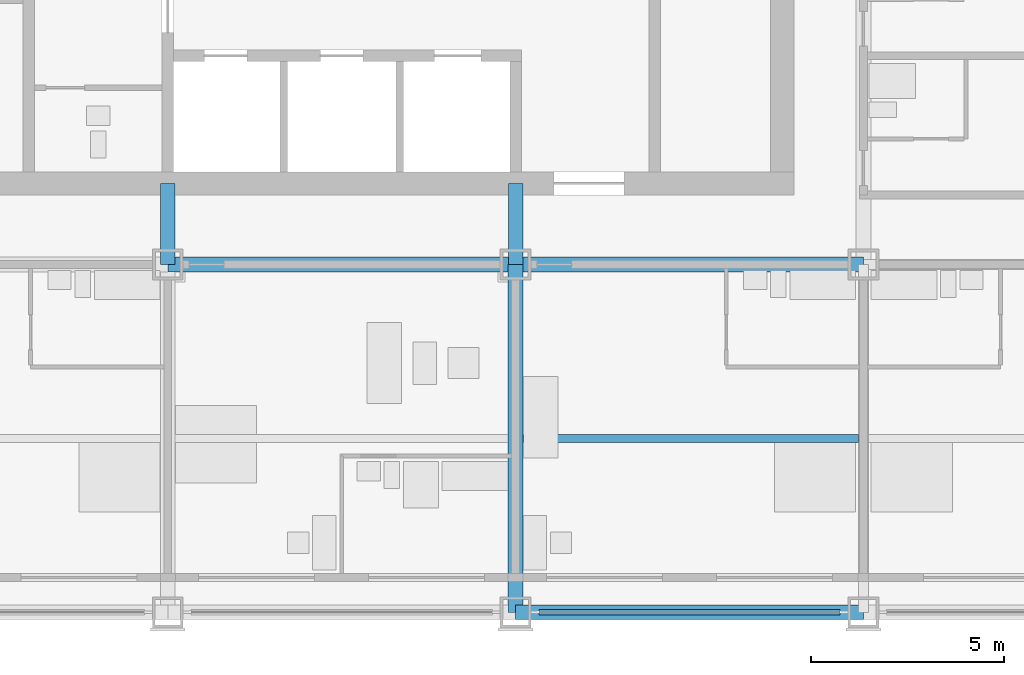
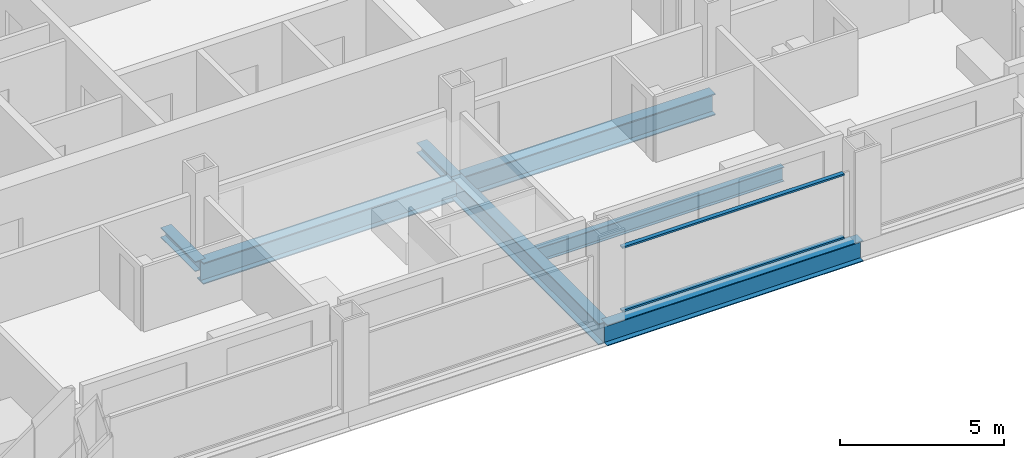
# One storey, part 3 of 16: 5 beams, 4 members, 1 element without a shape of its own.
"""IFC4 building model written with IfcOpenShell, lengths in metres."""

from ifc_helpers import new_model, si_unit, direction, frame, origin, origin_2d, place, context, subcontext, project, spatial, rectangle, i_section, extrude, material, material_profile, profile_set, type_object, element, aggregate, save


model = new_model("IFC4")

# Units and contexts
model_context = context("Model", 3, precision=1e-05, world=origin(), true_north=direction((0.0, 1.0)))
body_context = subcontext(model_context, "Body", "Model", "MODEL_VIEW")
ifc_project = project(units=[si_unit("LENGTHUNIT", "METRE"), si_unit("AREAUNIT", "SQUARE_METRE"), si_unit("VOLUMEUNIT", "CUBIC_METRE"), si_unit("PLANEANGLEUNIT", "RADIAN"), si_unit("MASSUNIT", "GRAM", prefix="KILO")], contexts=[model_context])

# Site, building, storey
site_placement = place(None, origin())
site = spatial("IfcSite", under=ifc_project, at=site_placement, CompositionType="ELEMENT")
building_placement = place(site_placement, origin())
building = spatial("IfcBuilding", under=site, at=building_placement, Name="Loomwork Tower", CompositionType="ELEMENT")
storey_placement = place(building_placement, frame((0.0, 0.0, 107.800048828125)))
storey = spatial("IfcBuildingStorey", under=building, at=storey_placement, Name="L28", CompositionType="ELEMENT", Elevation=107.800048828125)

# Beams
ifc_material_1 = material(Name="Steel ASTM A992", Category="steel")
ifc_material_profile_1 = material_profile(ifc_material_1, i_section(OverallWidth=0.383544921875, OverallDepth=0.794921875, WebThickness=0.02099609375, FlangeThickness=0.0380859375, at=origin_2d()), Name="W30x235")
ifc_profile_set_1 = profile_set([ifc_material_profile_1], Name="Steel ASTM A992")
beam_type_1 = type_object("IfcBeamType", Name="CORE FLANK GIRDER W30x235", PredefinedType="BEAM", material=ifc_profile_set_1)
for number, where, z_axis, x_axis, name in (
    (1, (18.0, 9.0, -0.59765625), (1.0, 0.0, 0.0), (0.0, 1.0, 0.0), "Core Flank Girder E/4-E/5 L28"),
    (2, (27.0, 9.0, -0.59765625), (1.0, 0.0, 0.0), (0.0, 1.0, 0.0), "Core Flank Girder E/5-E/6 L28"),
    (3, (27.0, 0.0, -0.59765625), (0.0, 1.0, 0.0), (-1.0, 0.0, 0.0), "Core Flank Girder D/5-E/5 L28"),
):
    element("IfcBeam", number, at=place(storey_placement, frame(where, z_axis=z_axis, x_axis=x_axis)), inside=storey, type_object=beam_type_1, Name=name, PredefinedType="BEAM", context=body_context, shape_type="SweptSolid", body=[
        extrude(i_section(OverallWidth=0.383544921875, OverallDepth=0.794921875, WebThickness=0.02099609375, FlangeThickness=0.0380859375, at=origin_2d()), origin(), (0.0, 0.0, 1.0), 9.0),
    ])

# Members
ifc_material_2 = material(Name="Steel ASTM A992", Category="steel")
ifc_material_profile_2 = material_profile(ifc_material_2, i_section(OverallWidth=0.373291015625, OverallDepth=0.373291015625, WebThickness=0.016357421875, FlangeThickness=0.026123046875, at=origin_2d()), Name="W14x132")
ifc_profile_set_2 = profile_set([ifc_material_profile_2], Name="Steel ASTM A992")
member_type_1 = type_object("IfcMemberType", Name="CORE LINK STRUT W14x132", PredefinedType="STRUT", material=ifc_profile_set_2)
for number, where, z_axis, x_axis, name in (
    (4, (27.0, 9.0, -0.38671875), (0.0, 1.0, 0.0), (-1.0, 0.0, 0.0), "Core link strut E/5-27.000,11.100 L28"),
    (5, (18.0, 9.0, -0.38671875), (0.0, 1.0, 0.0), (-1.0, 0.0, 0.0), "Core link strut E/4-18.000,11.100 L28"),
):
    element("IfcMember", number, at=place(storey_placement, frame(where, z_axis=z_axis, x_axis=x_axis)), inside=storey, type_object=member_type_1, Name=name, PredefinedType="STRUT", context=body_context, shape_type="SweptSolid", body=[
        extrude(i_section(OverallWidth=0.373291015625, OverallDepth=0.373291015625, WebThickness=0.016357421875, FlangeThickness=0.026123046875, at=origin_2d()), origin(), (0.0, 0.0, 1.0), 2.10009765625),
    ])

# Beam
ifc_material_3 = material(Name="Steel ASTM A992", Category="steel")
ifc_material_profile_3 = material_profile(ifc_material_3, i_section(OverallWidth=0.2109375, OverallDepth=0.53857421875, WebThickness=0.011474609375, FlangeThickness=0.018798828125, at=origin_2d()), Name="W21x73")
ifc_profile_set_3 = profile_set([ifc_material_profile_3], Name="Steel ASTM A992")
beam_type_2 = type_object("IfcBeamType", Name="FLOOR JOIST W21x73", PredefinedType="JOIST", material=ifc_profile_set_3)
beam_1_placement = place(storey_placement, frame((27.19091796875, 4.5, -0.46923828125), z_axis=(1.0, 0.0, 0.0), x_axis=(0.0, 1.0, 0.0)))
element("IfcBeam", 6, at=beam_1_placement, inside=storey, type_object=beam_type_2, Name="Floor Joist 27.000,4.500-36.000,4.500 L28", PredefinedType="JOIST", context=body_context, shape_type="SweptSolid", body=[
    extrude(i_section(OverallWidth=0.2109375, OverallDepth=0.53857421875, WebThickness=0.011474609375, FlangeThickness=0.018798828125, at=origin_2d()), origin(), (0.0, 0.0, 1.0), 8.676025390625),
])

# Curtain wall, members
ifc_material_4 = material(Name="Aluminium curtain wall frame", Category="aluminium")
curtain_wall_type = type_object("IfcCurtainWallType", Name="Outer skin glazing hotel", PredefinedType="NOTDEFINED", material=ifc_material_4)
curtain_wall_placement = place(storey_placement, origin())
curtain_wall = element("IfcCurtainWall", 7, at=curtain_wall_placement, inside=storey, type_object=curtain_wall_type, Name="Outer skin glazing hotel cw/S-27", PredefinedType="NOTDEFINED")
ifc_material_5 = material(Name="Aluminium curtain wall frame", Category="aluminium")
ifc_material_profile_4 = material_profile(ifc_material_5, rectangle(XDim=0.14990234375, YDim=0.06494140625, at=origin_2d()), Name="AL 65x150")
ifc_profile_set_4 = profile_set([ifc_material_profile_4], Name="Aluminium curtain wall frame")
member_type_2 = type_object("IfcMemberType", Name="Outer skin glazing hotel transom", PredefinedType="USERDEFINED", material=ifc_profile_set_4)
member_1_placement = place(storey_placement, frame((27.60009765625, 0.0, 0.032470703125), z_axis=(1.0, 0.0, 0.0), x_axis=(0.0, 1.0, 0.0)))
member_1 = element("IfcMember", 8, at=member_1_placement, type_object=member_type_2, Name="CW1 transom 1.1", ObjectType="TRANSOM", PredefinedType="USERDEFINED", context=body_context, shape_type="SweptSolid", body=[
    extrude(rectangle(XDim=0.14990234375, YDim=0.06494140625, at=origin_2d()), origin(), (0.0, 0.0, 1.0), 7.7998046875),
])
member_2_placement = place(storey_placement, frame((27.60009765625, 0.0, 2.3876953125), z_axis=(1.0, 0.0, 0.0), x_axis=(0.0, 1.0, 0.0)))
member_2 = element("IfcMember", 9, at=member_2_placement, type_object=member_type_2, Name="CW1 transom 1.2", ObjectType="TRANSOM", PredefinedType="USERDEFINED", context=body_context, shape_type="SweptSolid", body=[
    extrude(rectangle(XDim=0.14990234375, YDim=0.06494140625, at=origin_2d()), origin(), (0.0, 0.0, 1.0), 7.7998046875),
])
aggregate(curtain_wall, [member_1, member_2])

# Beam
ifc_material_6 = material(Name="Steel ASTM A992", Category="steel")
ifc_material_profile_5 = material_profile(ifc_material_6, i_section(OverallWidth=0.381103515625, OverallDepth=0.77978515625, WebThickness=0.01806640625, FlangeThickness=0.0302734375, at=origin_2d()), Name="W30x191")
ifc_profile_set_5 = profile_set([ifc_material_profile_5], Name="Steel ASTM A992")
beam_type_3 = type_object("IfcBeamType", Name="SPANDREL GIRDER W30x191", PredefinedType="SPANDREL", material=ifc_profile_set_5)
beam_2_placement = place(storey_placement, frame((27.0, 0.0, -0.58984375), z_axis=(1.0, 0.0, 0.0), x_axis=(0.0, 1.0, 0.0)))
element("IfcBeam", 10, at=beam_2_placement, inside=storey, type_object=beam_type_3, Name="Spandrel Girder D/5-D/6 L28", PredefinedType="SPANDREL", context=body_context, shape_type="SweptSolid", body=[
    extrude(i_section(OverallWidth=0.381103515625, OverallDepth=0.77978515625, WebThickness=0.01806640625, FlangeThickness=0.0302734375, at=origin_2d()), origin(), (0.0, 0.0, 1.0), 9.0),
])

save(model, "model.ifc")
